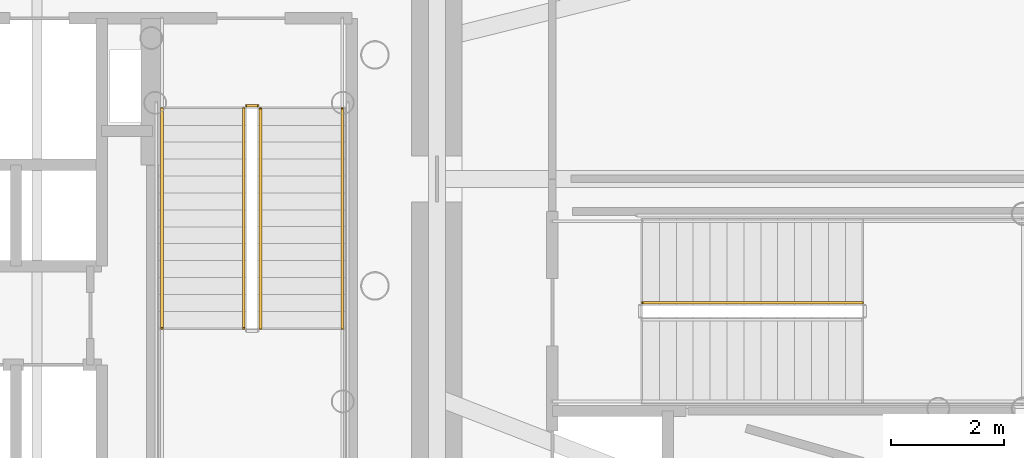
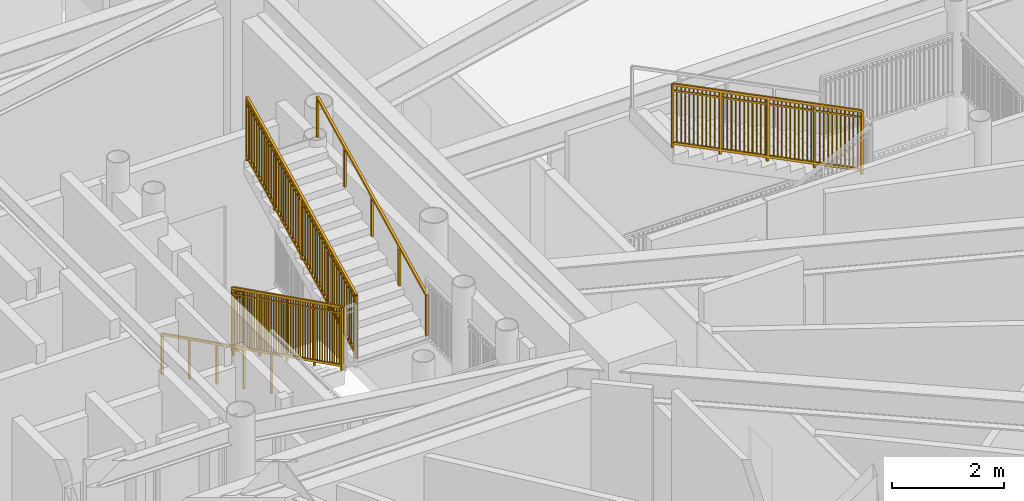
# One storey, part 29 of 32: 6 railings.
"""IFC4 building model written with IfcOpenShell, lengths in metres."""

from ifc_helpers import new_model, si_unit, direction, frame, origin, origin_2d, place, context, subcontext, project, spatial, rectangle, extrude, source, transform, mapped, material, type_object, element, save


model = new_model("IFC4")

# Units and contexts
model_context = context("Model", 3, precision=1e-05, world=origin(), true_north=direction((0.0, 1.0)))
body_context = subcontext(model_context, "Body", "Model", "MODEL_VIEW")
ifc_project = project(units=[si_unit("LENGTHUNIT", "METRE"), si_unit("AREAUNIT", "SQUARE_METRE"), si_unit("VOLUMEUNIT", "CUBIC_METRE"), si_unit("PLANEANGLEUNIT", "RADIAN"), si_unit("MASSUNIT", "GRAM", prefix="KILO")], contexts=[model_context])

# Site, building, storey
site_placement = place(None, origin())
site = spatial("IfcSite", under=ifc_project, at=site_placement, CompositionType="ELEMENT")
building_placement = place(site_placement, origin())
building = spatial("IfcBuilding", under=site, at=building_placement, Name="Linh Dai School and Residence Tower", CompositionType="ELEMENT")
storey_placement = place(building_placement, frame((0.0, 0.0, 53.39990234375)))
storey = spatial("IfcBuildingStorey", under=building, at=storey_placement, Name="L12", CompositionType="ELEMENT", Elevation=53.39990234375)

# Railings
ifc_material_1 = material(Name="Structural Steel S355JR", Category="steel")
railing_type_1 = type_object("IfcRailingType", Name="RL-ST-GUARD-1400", PredefinedType="GUARDRAIL", material=ifc_material_1)
shared_shape_1 = source(origin(), body_context, "Body", "SweptSolid", [
    extrude(rectangle(XDim=0.048095703125, YDim=0.048095703125, at=origin_2d()), frame((0.0, 0.0, 1.3759765625), z_axis=(1.0, 0.0, 0.0), x_axis=(0.0, 1.0, 0.0)), (0.0, 0.0, 1.0), 0.199951171875),
    extrude(rectangle(XDim=0.048095703125, YDim=0.048095703125, at=origin_2d()), frame((0.0, 0.0, 0.10009765625), z_axis=(1.0, 0.0, 0.0), x_axis=(0.0, 1.0, 0.0)), (0.0, 0.0, 1.0), 0.199951171875),
    extrude(rectangle(XDim=0.030029296875, YDim=0.030029296875, at=origin_2d()), frame((0.0, 0.0, 1.239990234375), z_axis=(1.0, 0.0, 0.0), x_axis=(0.0, 1.0, 0.0)), (0.0, 0.0, 1.0), 0.199951171875),
    extrude(rectangle(XDim=0.0419921875, YDim=0.0419921875, at=origin_2d()), origin(), (0.0, 0.0, 1.0), 1.3759765625),
    extrude(rectangle(XDim=0.0419921875, YDim=0.0419921875, at=origin_2d()), frame((0.199951171875, 0.0, 0.0)), (0.0, 0.0, 1.0), 1.3759765625),
])
railing_1_placement = place(storey_placement, frame((42.570068359375, 28.300048828125, 0.0)))
element("IfcRailing", 1, at=railing_1_placement, inside=storey, type_object=railing_type_1, Name="L12 ST2 stair guard 7", PredefinedType="GUARDRAIL", context=body_context, shape_type="MappedRepresentation", body=[
    mapped(shared_shape_1, transform((0.0, 0.0, 0.0), x_axis=(1.0, 0.0, 0.0), y_axis=(0.0, 1.0, 0.0), z_axis=(0.0, 0.0, 1.0), scale=1.0)),
])
shared_shape_2 = source(origin(), body_context, "Body", "SweptSolid", [
    extrude(rectangle(XDim=0.048095703125, YDim=0.048095703125, at=origin_2d()), frame((0.0, 0.0, 1.3759765625), z_axis=(0.0, -0.894427191, 0.4472135955), x_axis=(1.0, 0.0, 0.0)), (0.0, 0.0, 1.0), 4.360107421875),
    extrude(rectangle(XDim=0.048095703125, YDim=0.048095703125, at=origin_2d()), frame((0.0, 0.0, 0.10009765625), z_axis=(0.0, -0.894427191, 0.4472135955), x_axis=(1.0, 0.0, 0.0)), (0.0, 0.0, 1.0), 4.360107421875),
    extrude(rectangle(XDim=0.030029296875, YDim=0.030029296875, at=origin_2d()), frame((0.0, 0.0, 1.239990234375), z_axis=(0.0, -0.894427191, 0.4472135955), x_axis=(1.0, 0.0, 0.0)), (0.0, 0.0, 1.0), 4.360107421875),
    extrude(rectangle(XDim=0.02001953125, YDim=0.02001953125, at=origin_2d()), frame((0.0, -0.086669921875, 0.143310546875)), (0.0, 0.0, 1.0), 1.251708984375),
    extrude(rectangle(XDim=0.02001953125, YDim=0.02001953125, at=origin_2d()), frame((0.0, -0.17333984375, 0.186767578125)), (0.0, 0.0, 1.0), 1.251708984375),
    extrude(rectangle(XDim=0.02001953125, YDim=0.02001953125, at=origin_2d()), frame((0.0, -0.260009765625, 0.22998046875)), (0.0, 0.0, 1.0), 1.251708984375),
    extrude(rectangle(XDim=0.02001953125, YDim=0.02001953125, at=origin_2d()), frame((0.0, -0.3466796875, 0.2734375)), (0.0, 0.0, 1.0), 1.251708984375),
    extrude(rectangle(XDim=0.02001953125, YDim=0.02001953125, at=origin_2d()), frame((0.0, -0.433349609375, 0.316650390625)), (0.0, 0.0, 1.0), 1.251708984375),
    extrude(rectangle(XDim=0.02001953125, YDim=0.02001953125, at=origin_2d()), frame((0.0, -0.52001953125, 0.360107421875)), (0.0, 0.0, 1.0), 1.251708984375),
    extrude(rectangle(XDim=0.02001953125, YDim=0.02001953125, at=origin_2d()), frame((0.0, -0.606689453125, 0.4033203125)), (0.0, 0.0, 1.0), 1.251708984375),
    extrude(rectangle(XDim=0.02001953125, YDim=0.02001953125, at=origin_2d()), frame((0.0, -0.693359375, 0.44677734375)), (0.0, 0.0, 1.0), 1.251708984375),
    extrude(rectangle(XDim=0.02001953125, YDim=0.02001953125, at=origin_2d()), frame((0.0, -0.780029296875, 0.489990234375)), (0.0, 0.0, 1.0), 1.251708984375),
    extrude(rectangle(XDim=0.02001953125, YDim=0.02001953125, at=origin_2d()), frame((0.0, -0.86669921875, 0.533447265625)), (0.0, 0.0, 1.0), 1.251708984375),
    extrude(rectangle(XDim=0.02001953125, YDim=0.02001953125, at=origin_2d()), frame((0.0, -1.0400390625, 0.6201171875)), (0.0, 0.0, 1.0), 1.251708984375),
    extrude(rectangle(XDim=0.02001953125, YDim=0.02001953125, at=origin_2d()), frame((0.0, -1.126708984375, 0.663330078125)), (0.0, 0.0, 1.0), 1.251708984375),
    extrude(rectangle(XDim=0.02001953125, YDim=0.02001953125, at=origin_2d()), frame((0.0, -1.21337890625, 0.706787109375)), (0.0, 0.0, 1.0), 1.251708984375),
    extrude(rectangle(XDim=0.02001953125, YDim=0.02001953125, at=origin_2d()), frame((0.0, -1.300048828125, 0.75)), (0.0, 0.0, 1.0), 1.251708984375),
    extrude(rectangle(XDim=0.02001953125, YDim=0.02001953125, at=origin_2d()), frame((0.0, -1.38671875, 0.79345703125)), (0.0, 0.0, 1.0), 1.251708984375),
    extrude(rectangle(XDim=0.02001953125, YDim=0.02001953125, at=origin_2d()), frame((0.0, -1.473388671875, 0.836669921875)), (0.0, 0.0, 1.0), 1.251708984375),
    extrude(rectangle(XDim=0.02001953125, YDim=0.02001953125, at=origin_2d()), frame((0.0, -1.56005859375, 0.880126953125)), (0.0, 0.0, 1.0), 1.251708984375),
    extrude(rectangle(XDim=0.02001953125, YDim=0.02001953125, at=origin_2d()), frame((0.0, -1.646728515625, 0.92333984375)), (0.0, 0.0, 1.0), 1.251708984375),
    extrude(rectangle(XDim=0.02001953125, YDim=0.02001953125, at=origin_2d()), frame((0.0, -1.7333984375, 0.966796875)), (0.0, 0.0, 1.0), 1.251708984375),
    extrude(rectangle(XDim=0.02001953125, YDim=0.02001953125, at=origin_2d()), frame((0.0, -1.820068359375, 1.010009765625)), (0.0, 0.0, 1.0), 1.251708984375),
    extrude(rectangle(XDim=0.02001953125, YDim=0.02001953125, at=origin_2d()), frame((0.0, -1.90673828125, 1.053466796875)), (0.0, 0.0, 1.0), 1.251708984375),
    extrude(rectangle(XDim=0.02001953125, YDim=0.02001953125, at=origin_2d()), frame((0.0, -1.9931640625, 1.0966796875)), (0.0, 0.0, 1.0), 1.251708984375),
    extrude(rectangle(XDim=0.02001953125, YDim=0.02001953125, at=origin_2d()), frame((0.0, -2.079833984375, 1.14013671875)), (0.0, 0.0, 1.0), 1.251708984375),
    extrude(rectangle(XDim=0.02001953125, YDim=0.02001953125, at=origin_2d()), frame((0.0, -2.16650390625, 1.183349609375)), (0.0, 0.0, 1.0), 1.251708984375),
    extrude(rectangle(XDim=0.02001953125, YDim=0.02001953125, at=origin_2d()), frame((0.0, -2.253173828125, 1.226806640625)), (0.0, 0.0, 1.0), 1.251708984375),
    extrude(rectangle(XDim=0.02001953125, YDim=0.02001953125, at=origin_2d()), frame((0.0, -2.33984375, 1.27001953125)), (0.0, 0.0, 1.0), 1.251708984375),
    extrude(rectangle(XDim=0.02001953125, YDim=0.02001953125, at=origin_2d()), frame((0.0, -2.426513671875, 1.3134765625)), (0.0, 0.0, 1.0), 1.251708984375),
    extrude(rectangle(XDim=0.02001953125, YDim=0.02001953125, at=origin_2d()), frame((0.0, -2.51318359375, 1.356689453125)), (0.0, 0.0, 1.0), 1.251708984375),
    extrude(rectangle(XDim=0.02001953125, YDim=0.02001953125, at=origin_2d()), frame((0.0, -2.599853515625, 1.400146484375)), (0.0, 0.0, 1.0), 1.251708984375),
    extrude(rectangle(XDim=0.02001953125, YDim=0.02001953125, at=origin_2d()), frame((0.0, -2.6865234375, 1.443359375)), (0.0, 0.0, 1.0), 1.251708984375),
    extrude(rectangle(XDim=0.02001953125, YDim=0.02001953125, at=origin_2d()), frame((0.0, -2.773193359375, 1.48681640625)), (0.0, 0.0, 1.0), 1.251708984375),
    extrude(rectangle(XDim=0.02001953125, YDim=0.02001953125, at=origin_2d()), frame((0.0, -2.85986328125, 1.530029296875)), (0.0, 0.0, 1.0), 1.251708984375),
    extrude(rectangle(XDim=0.02001953125, YDim=0.02001953125, at=origin_2d()), frame((0.0, -3.033203125, 1.61669921875)), (0.0, 0.0, 1.0), 1.251708984375),
    extrude(rectangle(XDim=0.02001953125, YDim=0.02001953125, at=origin_2d()), frame((0.0, -3.119873046875, 1.66015625)), (0.0, 0.0, 1.0), 1.251708984375),
    extrude(rectangle(XDim=0.02001953125, YDim=0.02001953125, at=origin_2d()), frame((0.0, -3.20654296875, 1.703369140625)), (0.0, 0.0, 1.0), 1.251708984375),
    extrude(rectangle(XDim=0.02001953125, YDim=0.02001953125, at=origin_2d()), frame((0.0, -3.293212890625, 1.746826171875)), (0.0, 0.0, 1.0), 1.251708984375),
    extrude(rectangle(XDim=0.02001953125, YDim=0.02001953125, at=origin_2d()), frame((0.0, -3.3798828125, 1.7900390625)), (0.0, 0.0, 1.0), 1.251708984375),
    extrude(rectangle(XDim=0.02001953125, YDim=0.02001953125, at=origin_2d()), frame((0.0, -3.466552734375, 1.83349609375)), (0.0, 0.0, 1.0), 1.251708984375),
    extrude(rectangle(XDim=0.02001953125, YDim=0.02001953125, at=origin_2d()), frame((0.0, -3.55322265625, 1.876708984375)), (0.0, 0.0, 1.0), 1.251708984375),
    extrude(rectangle(XDim=0.02001953125, YDim=0.02001953125, at=origin_2d()), frame((0.0, -3.639892578125, 1.920166015625)), (0.0, 0.0, 1.0), 1.251708984375),
    extrude(rectangle(XDim=0.02001953125, YDim=0.02001953125, at=origin_2d()), frame((0.0, -3.7265625, 1.96337890625)), (0.0, 0.0, 1.0), 1.251708984375),
    extrude(rectangle(XDim=0.02001953125, YDim=0.02001953125, at=origin_2d()), frame((0.0, -3.813232421875, 2.0068359375)), (0.0, 0.0, 1.0), 1.251708984375),
    extrude(rectangle(XDim=0.0419921875, YDim=0.0419921875, at=origin_2d()), origin(), (0.0, 0.0, 1.0), 1.3759765625),
    extrude(rectangle(XDim=0.0419921875, YDim=0.0419921875, at=origin_2d()), frame((0.0, -0.97509765625, 0.487548828125)), (0.0, 0.0, 1.0), 1.3759765625),
    extrude(rectangle(XDim=0.0419921875, YDim=0.0419921875, at=origin_2d()), frame((0.0, -1.949951171875, 0.97509765625)), (0.0, 0.0, 1.0), 1.3759765625),
    extrude(rectangle(XDim=0.0419921875, YDim=0.0419921875, at=origin_2d()), frame((0.0, -2.9248046875, 1.46240234375)), (0.0, 0.0, 1.0), 1.3759765625),
    extrude(rectangle(XDim=0.0419921875, YDim=0.0419921875, at=origin_2d()), frame((0.0, -3.89990234375, 1.949951171875)), (0.0, 0.0, 1.0), 1.3759765625),
])
railing_2_placement = place(storey_placement, frame((42.52001953125, 28.25, 0.150146484375)))
element("IfcRailing", 2, at=railing_2_placement, inside=storey, type_object=railing_type_1, Name="L12 ST2 stair guard 1", PredefinedType="GUARDRAIL", context=body_context, shape_type="MappedRepresentation", body=[
    mapped(shared_shape_2, transform((0.0, 0.0, 0.0), x_axis=(1.0, 0.0, 0.0), y_axis=(0.0, 1.0, 0.0), z_axis=(0.0, 0.0, 1.0), scale=1.0)),
])
ifc_material_2 = material(Name="Brushed Stainless Steel Handrail", Category="steel")
railing_type_2 = type_object("IfcRailingType", Name="RL-ST-HANDRAIL-900", PredefinedType="HANDRAIL", material=ifc_material_2)
shared_shape_3 = source(origin(), body_context, "Body", "SweptSolid", [
    extrude(rectangle(XDim=0.048095703125, YDim=0.048095703125, at=origin_2d()), frame((0.0, 0.0, 0.8759765625), z_axis=(0.0, -0.894427191, 0.4472135955), x_axis=(1.0, 0.0, 0.0)), (0.0, 0.0, 1.0), 4.360107421875),
    extrude(rectangle(XDim=0.0419921875, YDim=0.0419921875, at=origin_2d()), origin(), (0.0, 0.0, 1.0), 0.8759765625),
    extrude(rectangle(XDim=0.0419921875, YDim=0.0419921875, at=origin_2d()), frame((0.0, -0.97509765625, 0.487548828125)), (0.0, 0.0, 1.0), 0.8759765625),
    extrude(rectangle(XDim=0.0419921875, YDim=0.0419921875, at=origin_2d()), frame((0.0, -1.949951171875, 0.97509765625)), (0.0, 0.0, 1.0), 0.8759765625),
    extrude(rectangle(XDim=0.0419921875, YDim=0.0419921875, at=origin_2d()), frame((0.0, -2.9248046875, 1.46240234375)), (0.0, 0.0, 1.0), 0.8759765625),
    extrude(rectangle(XDim=0.0419921875, YDim=0.0419921875, at=origin_2d()), frame((0.0, -3.89990234375, 1.949951171875)), (0.0, 0.0, 1.0), 0.8759765625),
])
railing_3_placement = place(storey_placement, frame((41.070068359375, 28.25, 0.150146484375)))
element("IfcRailing", 3, at=railing_3_placement, inside=storey, type_object=railing_type_2, Name="L12 ST2 stair handrail 1", PredefinedType="HANDRAIL", context=body_context, shape_type="MappedRepresentation", body=[
    mapped(shared_shape_3, transform((0.0, 0.0, 0.0), x_axis=(1.0, 0.0, 0.0), y_axis=(0.0, 1.0, 0.0), z_axis=(0.0, 0.0, 1.0), scale=1.0)),
])
shared_shape_4 = source(origin(), body_context, "Body", "SweptSolid", [
    extrude(rectangle(XDim=0.048095703125, YDim=0.048095703125, at=origin_2d()), frame((0.0, 0.0, 1.3759765625), z_axis=(0.0, 0.894404793364, 0.447258387967), x_axis=(-1.0, 0.0, 0.0)), (0.0, 0.0, 1.0), 4.3603515625),
    extrude(rectangle(XDim=0.048095703125, YDim=0.048095703125, at=origin_2d()), frame((0.0, 0.0, 0.10009765625), z_axis=(0.0, 0.894404793364, 0.447258387967), x_axis=(-1.0, 0.0, 0.0)), (0.0, 0.0, 1.0), 4.3603515625),
    extrude(rectangle(XDim=0.030029296875, YDim=0.030029296875, at=origin_2d()), frame((0.0, 0.0, 1.239990234375), z_axis=(0.0, 0.894404793364, 0.447258387967), x_axis=(-1.0, 0.0, 0.0)), (0.0, 0.0, 1.0), 4.3603515625),
    extrude(rectangle(XDim=0.02001953125, YDim=0.02001953125, at=origin_2d()), frame((0.0, 0.086669921875, 0.1435546875)), (0.0, 0.0, 1.0), 1.251708984375),
    extrude(rectangle(XDim=0.02001953125, YDim=0.02001953125, at=origin_2d()), frame((0.0, 0.17333984375, 0.186767578125)), (0.0, 0.0, 1.0), 1.251708984375),
    extrude(rectangle(XDim=0.02001953125, YDim=0.02001953125, at=origin_2d()), frame((0.0, 0.260009765625, 0.230224609375)), (0.0, 0.0, 1.0), 1.251708984375),
    extrude(rectangle(XDim=0.02001953125, YDim=0.02001953125, at=origin_2d()), frame((0.0, 0.3466796875, 0.2734375)), (0.0, 0.0, 1.0), 1.251708984375),
    extrude(rectangle(XDim=0.02001953125, YDim=0.02001953125, at=origin_2d()), frame((0.0, 0.433349609375, 0.31689453125)), (0.0, 0.0, 1.0), 1.251708984375),
    extrude(rectangle(XDim=0.02001953125, YDim=0.02001953125, at=origin_2d()), frame((0.0, 0.52001953125, 0.360107421875)), (0.0, 0.0, 1.0), 1.251708984375),
    extrude(rectangle(XDim=0.02001953125, YDim=0.02001953125, at=origin_2d()), frame((0.0, 0.606689453125, 0.403564453125)), (0.0, 0.0, 1.0), 1.251708984375),
    extrude(rectangle(XDim=0.02001953125, YDim=0.02001953125, at=origin_2d()), frame((0.0, 0.693359375, 0.44677734375)), (0.0, 0.0, 1.0), 1.251708984375),
    extrude(rectangle(XDim=0.02001953125, YDim=0.02001953125, at=origin_2d()), frame((0.0, 0.780029296875, 0.490234375)), (0.0, 0.0, 1.0), 1.251708984375),
    extrude(rectangle(XDim=0.02001953125, YDim=0.02001953125, at=origin_2d()), frame((0.0, 0.86669921875, 0.533447265625)), (0.0, 0.0, 1.0), 1.251708984375),
    extrude(rectangle(XDim=0.02001953125, YDim=0.02001953125, at=origin_2d()), frame((0.0, 1.0400390625, 0.6201171875)), (0.0, 0.0, 1.0), 1.251708984375),
    extrude(rectangle(XDim=0.02001953125, YDim=0.02001953125, at=origin_2d()), frame((0.0, 1.126708984375, 0.66357421875)), (0.0, 0.0, 1.0), 1.251708984375),
    extrude(rectangle(XDim=0.02001953125, YDim=0.02001953125, at=origin_2d()), frame((0.0, 1.21337890625, 0.706787109375)), (0.0, 0.0, 1.0), 1.251708984375),
    extrude(rectangle(XDim=0.02001953125, YDim=0.02001953125, at=origin_2d()), frame((0.0, 1.300048828125, 0.750244140625)), (0.0, 0.0, 1.0), 1.251708984375),
    extrude(rectangle(XDim=0.02001953125, YDim=0.02001953125, at=origin_2d()), frame((0.0, 1.38671875, 0.79345703125)), (0.0, 0.0, 1.0), 1.251708984375),
    extrude(rectangle(XDim=0.02001953125, YDim=0.02001953125, at=origin_2d()), frame((0.0, 1.473388671875, 0.8369140625)), (0.0, 0.0, 1.0), 1.251708984375),
    extrude(rectangle(XDim=0.02001953125, YDim=0.02001953125, at=origin_2d()), frame((0.0, 1.56005859375, 0.880126953125)), (0.0, 0.0, 1.0), 1.251708984375),
    extrude(rectangle(XDim=0.02001953125, YDim=0.02001953125, at=origin_2d()), frame((0.0, 1.646728515625, 0.923583984375)), (0.0, 0.0, 1.0), 1.251708984375),
    extrude(rectangle(XDim=0.02001953125, YDim=0.02001953125, at=origin_2d()), frame((0.0, 1.7333984375, 0.966796875)), (0.0, 0.0, 1.0), 1.251708984375),
    extrude(rectangle(XDim=0.02001953125, YDim=0.02001953125, at=origin_2d()), frame((0.0, 1.820068359375, 1.01025390625)), (0.0, 0.0, 1.0), 1.251708984375),
    extrude(rectangle(XDim=0.02001953125, YDim=0.02001953125, at=origin_2d()), frame((0.0, 1.90673828125, 1.053466796875)), (0.0, 0.0, 1.0), 1.251708984375),
    extrude(rectangle(XDim=0.02001953125, YDim=0.02001953125, at=origin_2d()), frame((0.0, 1.9931640625, 1.096923828125)), (0.0, 0.0, 1.0), 1.251708984375),
    extrude(rectangle(XDim=0.02001953125, YDim=0.02001953125, at=origin_2d()), frame((0.0, 2.079833984375, 1.14013671875)), (0.0, 0.0, 1.0), 1.251708984375),
    extrude(rectangle(XDim=0.02001953125, YDim=0.02001953125, at=origin_2d()), frame((0.0, 2.16650390625, 1.18359375)), (0.0, 0.0, 1.0), 1.251708984375),
    extrude(rectangle(XDim=0.02001953125, YDim=0.02001953125, at=origin_2d()), frame((0.0, 2.253173828125, 1.226806640625)), (0.0, 0.0, 1.0), 1.251708984375),
    extrude(rectangle(XDim=0.02001953125, YDim=0.02001953125, at=origin_2d()), frame((0.0, 2.33984375, 1.270263671875)), (0.0, 0.0, 1.0), 1.251708984375),
    extrude(rectangle(XDim=0.02001953125, YDim=0.02001953125, at=origin_2d()), frame((0.0, 2.426513671875, 1.3134765625)), (0.0, 0.0, 1.0), 1.251708984375),
    extrude(rectangle(XDim=0.02001953125, YDim=0.02001953125, at=origin_2d()), frame((0.0, 2.51318359375, 1.35693359375)), (0.0, 0.0, 1.0), 1.251708984375),
    extrude(rectangle(XDim=0.02001953125, YDim=0.02001953125, at=origin_2d()), frame((0.0, 2.599853515625, 1.400146484375)), (0.0, 0.0, 1.0), 1.251708984375),
    extrude(rectangle(XDim=0.02001953125, YDim=0.02001953125, at=origin_2d()), frame((0.0, 2.6865234375, 1.443603515625)), (0.0, 0.0, 1.0), 1.251708984375),
    extrude(rectangle(XDim=0.02001953125, YDim=0.02001953125, at=origin_2d()), frame((0.0, 2.773193359375, 1.48681640625)), (0.0, 0.0, 1.0), 1.251708984375),
    extrude(rectangle(XDim=0.02001953125, YDim=0.02001953125, at=origin_2d()), frame((0.0, 2.85986328125, 1.5302734375)), (0.0, 0.0, 1.0), 1.251708984375),
    extrude(rectangle(XDim=0.02001953125, YDim=0.02001953125, at=origin_2d()), frame((0.0, 3.033203125, 1.616943359375)), (0.0, 0.0, 1.0), 1.251708984375),
    extrude(rectangle(XDim=0.02001953125, YDim=0.02001953125, at=origin_2d()), frame((0.0, 3.119873046875, 1.66015625)), (0.0, 0.0, 1.0), 1.251708984375),
    extrude(rectangle(XDim=0.02001953125, YDim=0.02001953125, at=origin_2d()), frame((0.0, 3.20654296875, 1.70361328125)), (0.0, 0.0, 1.0), 1.251708984375),
    extrude(rectangle(XDim=0.02001953125, YDim=0.02001953125, at=origin_2d()), frame((0.0, 3.293212890625, 1.746826171875)), (0.0, 0.0, 1.0), 1.251708984375),
    extrude(rectangle(XDim=0.02001953125, YDim=0.02001953125, at=origin_2d()), frame((0.0, 3.3798828125, 1.790283203125)), (0.0, 0.0, 1.0), 1.251708984375),
    extrude(rectangle(XDim=0.02001953125, YDim=0.02001953125, at=origin_2d()), frame((0.0, 3.466552734375, 1.83349609375)), (0.0, 0.0, 1.0), 1.251708984375),
    extrude(rectangle(XDim=0.02001953125, YDim=0.02001953125, at=origin_2d()), frame((0.0, 3.55322265625, 1.876953125)), (0.0, 0.0, 1.0), 1.251708984375),
    extrude(rectangle(XDim=0.02001953125, YDim=0.02001953125, at=origin_2d()), frame((0.0, 3.639892578125, 1.920166015625)), (0.0, 0.0, 1.0), 1.251708984375),
    extrude(rectangle(XDim=0.02001953125, YDim=0.02001953125, at=origin_2d()), frame((0.0, 3.7265625, 1.963623046875)), (0.0, 0.0, 1.0), 1.251708984375),
    extrude(rectangle(XDim=0.02001953125, YDim=0.02001953125, at=origin_2d()), frame((0.0, 3.813232421875, 2.0068359375)), (0.0, 0.0, 1.0), 1.251708984375),
    extrude(rectangle(XDim=0.0419921875, YDim=0.0419921875, at=origin_2d()), origin(), (0.0, 0.0, 1.0), 1.3759765625),
    extrude(rectangle(XDim=0.0419921875, YDim=0.0419921875, at=origin_2d()), frame((0.0, 0.97509765625, 0.487548828125)), (0.0, 0.0, 1.0), 1.3759765625),
    extrude(rectangle(XDim=0.0419921875, YDim=0.0419921875, at=origin_2d()), frame((0.0, 1.949951171875, 0.97509765625)), (0.0, 0.0, 1.0), 1.3759765625),
    extrude(rectangle(XDim=0.0419921875, YDim=0.0419921875, at=origin_2d()), frame((0.0, 2.9248046875, 1.462646484375)), (0.0, 0.0, 1.0), 1.3759765625),
    extrude(rectangle(XDim=0.0419921875, YDim=0.0419921875, at=origin_2d()), frame((0.0, 3.89990234375, 1.9501953125)), (0.0, 0.0, 1.0), 1.3759765625),
])
railing_4_placement = place(storey_placement, frame((42.820068359375, 24.35009765625, 2.25)))
element("IfcRailing", 4, at=railing_4_placement, inside=storey, type_object=railing_type_1, Name="L12 ST2 stair guard 6", PredefinedType="GUARDRAIL", context=body_context, shape_type="MappedRepresentation", body=[
    mapped(shared_shape_4, transform((0.0, 0.0, 0.0), x_axis=(1.0, 0.0, 0.0), y_axis=(0.0, 1.0, 0.0), z_axis=(0.0, 0.0, 1.0), scale=1.0)),
])
shared_shape_5 = source(origin(), body_context, "Body", "SweptSolid", [
    extrude(rectangle(XDim=0.048095703125, YDim=0.048095703125, at=origin_2d()), frame((0.0, 0.0, 0.8759765625), z_axis=(0.0, 0.894404793364, 0.447258387967), x_axis=(-1.0, 0.0, 0.0)), (0.0, 0.0, 1.0), 4.3603515625),
    extrude(rectangle(XDim=0.0419921875, YDim=0.0419921875, at=origin_2d()), origin(), (0.0, 0.0, 1.0), 0.8759765625),
    extrude(rectangle(XDim=0.0419921875, YDim=0.0419921875, at=origin_2d()), frame((0.0, 0.97509765625, 0.487548828125)), (0.0, 0.0, 1.0), 0.8759765625),
    extrude(rectangle(XDim=0.0419921875, YDim=0.0419921875, at=origin_2d()), frame((0.0, 1.949951171875, 0.97509765625)), (0.0, 0.0, 1.0), 0.8759765625),
    extrude(rectangle(XDim=0.0419921875, YDim=0.0419921875, at=origin_2d()), frame((0.0, 2.9248046875, 1.462646484375)), (0.0, 0.0, 1.0), 0.8759765625),
    extrude(rectangle(XDim=0.0419921875, YDim=0.0419921875, at=origin_2d()), frame((0.0, 3.89990234375, 1.9501953125)), (0.0, 0.0, 1.0), 0.8759765625),
])
railing_5_placement = place(storey_placement, frame((44.27001953125, 24.35009765625, 2.25)))
element("IfcRailing", 5, at=railing_5_placement, inside=storey, type_object=railing_type_2, Name="L12 ST2 stair handrail 2", PredefinedType="HANDRAIL", context=body_context, shape_type="MappedRepresentation", body=[
    mapped(shared_shape_5, transform((0.0, 0.0, 0.0), x_axis=(1.0, 0.0, 0.0), y_axis=(0.0, 1.0, 0.0), z_axis=(0.0, 0.0, 1.0), scale=1.0)),
])
shared_shape_6 = source(origin(), body_context, "Body", "SweptSolid", [
    extrude(rectangle(XDim=0.048095703125, YDim=0.048095703125, at=origin_2d()), frame((0.0, 0.0, 1.3759765625), z_axis=(-0.894404793364, 0.0, 0.447258387967), x_axis=(0.0, -1.0, 0.0)), (0.0, 0.0, 1.0), 4.3603515625),
    extrude(rectangle(XDim=0.048095703125, YDim=0.048095703125, at=origin_2d()), frame((0.0, 0.0, 0.10009765625), z_axis=(-0.894404793364, 0.0, 0.447258387967), x_axis=(0.0, -1.0, 0.0)), (0.0, 0.0, 1.0), 4.3603515625),
    extrude(rectangle(XDim=0.030029296875, YDim=0.030029296875, at=origin_2d()), frame((0.0, 0.0, 1.239990234375), z_axis=(-0.894404793364, 0.0, 0.447258387967), x_axis=(0.0, -1.0, 0.0)), (0.0, 0.0, 1.0), 4.3603515625),
    extrude(rectangle(XDim=0.02001953125, YDim=0.02001953125, at=origin_2d()), frame((-0.086669921875, 0.0, 0.1435546875)), (0.0, 0.0, 1.0), 1.251708984375),
    extrude(rectangle(XDim=0.02001953125, YDim=0.02001953125, at=origin_2d()), frame((-0.17333984375, 0.0, 0.186767578125)), (0.0, 0.0, 1.0), 1.251708984375),
    extrude(rectangle(XDim=0.02001953125, YDim=0.02001953125, at=origin_2d()), frame((-0.260009765625, 0.0, 0.230224609375)), (0.0, 0.0, 1.0), 1.251708984375),
    extrude(rectangle(XDim=0.02001953125, YDim=0.02001953125, at=origin_2d()), frame((-0.3466796875, 0.0, 0.2734375)), (0.0, 0.0, 1.0), 1.251708984375),
    extrude(rectangle(XDim=0.02001953125, YDim=0.02001953125, at=origin_2d()), frame((-0.433349609375, 0.0, 0.31689453125)), (0.0, 0.0, 1.0), 1.251708984375),
    extrude(rectangle(XDim=0.02001953125, YDim=0.02001953125, at=origin_2d()), frame((-0.52001953125, 0.0, 0.360107421875)), (0.0, 0.0, 1.0), 1.251708984375),
    extrude(rectangle(XDim=0.02001953125, YDim=0.02001953125, at=origin_2d()), frame((-0.606689453125, 0.0, 0.403564453125)), (0.0, 0.0, 1.0), 1.251708984375),
    extrude(rectangle(XDim=0.02001953125, YDim=0.02001953125, at=origin_2d()), frame((-0.693359375, 0.0, 0.44677734375)), (0.0, 0.0, 1.0), 1.251708984375),
    extrude(rectangle(XDim=0.02001953125, YDim=0.02001953125, at=origin_2d()), frame((-0.780029296875, 0.0, 0.490234375)), (0.0, 0.0, 1.0), 1.251708984375),
    extrude(rectangle(XDim=0.02001953125, YDim=0.02001953125, at=origin_2d()), frame((-0.86669921875, 0.0, 0.533447265625)), (0.0, 0.0, 1.0), 1.251708984375),
    extrude(rectangle(XDim=0.02001953125, YDim=0.02001953125, at=origin_2d()), frame((-1.0400390625, 0.0, 0.6201171875)), (0.0, 0.0, 1.0), 1.251708984375),
    extrude(rectangle(XDim=0.02001953125, YDim=0.02001953125, at=origin_2d()), frame((-1.126708984375, 0.0, 0.66357421875)), (0.0, 0.0, 1.0), 1.251708984375),
    extrude(rectangle(XDim=0.02001953125, YDim=0.02001953125, at=origin_2d()), frame((-1.21337890625, 0.0, 0.706787109375)), (0.0, 0.0, 1.0), 1.251708984375),
    extrude(rectangle(XDim=0.02001953125, YDim=0.02001953125, at=origin_2d()), frame((-1.300048828125, 0.0, 0.750244140625)), (0.0, 0.0, 1.0), 1.251708984375),
    extrude(rectangle(XDim=0.02001953125, YDim=0.02001953125, at=origin_2d()), frame((-1.38671875, 0.0, 0.79345703125)), (0.0, 0.0, 1.0), 1.251708984375),
    extrude(rectangle(XDim=0.02001953125, YDim=0.02001953125, at=origin_2d()), frame((-1.473388671875, 0.0, 0.8369140625)), (0.0, 0.0, 1.0), 1.251708984375),
    extrude(rectangle(XDim=0.02001953125, YDim=0.02001953125, at=origin_2d()), frame((-1.56005859375, 0.0, 0.880126953125)), (0.0, 0.0, 1.0), 1.251708984375),
    extrude(rectangle(XDim=0.02001953125, YDim=0.02001953125, at=origin_2d()), frame((-1.646728515625, 0.0, 0.923583984375)), (0.0, 0.0, 1.0), 1.251708984375),
    extrude(rectangle(XDim=0.02001953125, YDim=0.02001953125, at=origin_2d()), frame((-1.7333984375, 0.0, 0.966796875)), (0.0, 0.0, 1.0), 1.251708984375),
    extrude(rectangle(XDim=0.02001953125, YDim=0.02001953125, at=origin_2d()), frame((-1.820068359375, 0.0, 1.01025390625)), (0.0, 0.0, 1.0), 1.251708984375),
    extrude(rectangle(XDim=0.02001953125, YDim=0.02001953125, at=origin_2d()), frame((-1.90673828125, 0.0, 1.053466796875)), (0.0, 0.0, 1.0), 1.251708984375),
    extrude(rectangle(XDim=0.02001953125, YDim=0.02001953125, at=origin_2d()), frame((-1.9931640625, 0.0, 1.096923828125)), (0.0, 0.0, 1.0), 1.251708984375),
    extrude(rectangle(XDim=0.02001953125, YDim=0.02001953125, at=origin_2d()), frame((-2.079833984375, 0.0, 1.14013671875)), (0.0, 0.0, 1.0), 1.251708984375),
    extrude(rectangle(XDim=0.02001953125, YDim=0.02001953125, at=origin_2d()), frame((-2.16650390625, 0.0, 1.18359375)), (0.0, 0.0, 1.0), 1.251708984375),
    extrude(rectangle(XDim=0.02001953125, YDim=0.02001953125, at=origin_2d()), frame((-2.253173828125, 0.0, 1.226806640625)), (0.0, 0.0, 1.0), 1.251708984375),
    extrude(rectangle(XDim=0.02001953125, YDim=0.02001953125, at=origin_2d()), frame((-2.33984375, 0.0, 1.270263671875)), (0.0, 0.0, 1.0), 1.251708984375),
    extrude(rectangle(XDim=0.02001953125, YDim=0.02001953125, at=origin_2d()), frame((-2.426513671875, 0.0, 1.3134765625)), (0.0, 0.0, 1.0), 1.251708984375),
    extrude(rectangle(XDim=0.02001953125, YDim=0.02001953125, at=origin_2d()), frame((-2.51318359375, 0.0, 1.35693359375)), (0.0, 0.0, 1.0), 1.251708984375),
    extrude(rectangle(XDim=0.02001953125, YDim=0.02001953125, at=origin_2d()), frame((-2.599853515625, 0.0, 1.400146484375)), (0.0, 0.0, 1.0), 1.251708984375),
    extrude(rectangle(XDim=0.02001953125, YDim=0.02001953125, at=origin_2d()), frame((-2.6865234375, 0.0, 1.443603515625)), (0.0, 0.0, 1.0), 1.251708984375),
    extrude(rectangle(XDim=0.02001953125, YDim=0.02001953125, at=origin_2d()), frame((-2.773193359375, 0.0, 1.48681640625)), (0.0, 0.0, 1.0), 1.251708984375),
    extrude(rectangle(XDim=0.02001953125, YDim=0.02001953125, at=origin_2d()), frame((-2.85986328125, 0.0, 1.5302734375)), (0.0, 0.0, 1.0), 1.251708984375),
    extrude(rectangle(XDim=0.02001953125, YDim=0.02001953125, at=origin_2d()), frame((-3.033203125, 0.0, 1.616943359375)), (0.0, 0.0, 1.0), 1.251708984375),
    extrude(rectangle(XDim=0.02001953125, YDim=0.02001953125, at=origin_2d()), frame((-3.119873046875, 0.0, 1.66015625)), (0.0, 0.0, 1.0), 1.251708984375),
    extrude(rectangle(XDim=0.02001953125, YDim=0.02001953125, at=origin_2d()), frame((-3.20654296875, 0.0, 1.70361328125)), (0.0, 0.0, 1.0), 1.251708984375),
    extrude(rectangle(XDim=0.02001953125, YDim=0.02001953125, at=origin_2d()), frame((-3.293212890625, 0.0, 1.746826171875)), (0.0, 0.0, 1.0), 1.251708984375),
    extrude(rectangle(XDim=0.02001953125, YDim=0.02001953125, at=origin_2d()), frame((-3.3798828125, 0.0, 1.790283203125)), (0.0, 0.0, 1.0), 1.251708984375),
    extrude(rectangle(XDim=0.02001953125, YDim=0.02001953125, at=origin_2d()), frame((-3.466552734375, 0.0, 1.83349609375)), (0.0, 0.0, 1.0), 1.251708984375),
    extrude(rectangle(XDim=0.02001953125, YDim=0.02001953125, at=origin_2d()), frame((-3.55322265625, 0.0, 1.876953125)), (0.0, 0.0, 1.0), 1.251708984375),
    extrude(rectangle(XDim=0.02001953125, YDim=0.02001953125, at=origin_2d()), frame((-3.639892578125, 0.0, 1.920166015625)), (0.0, 0.0, 1.0), 1.251708984375),
    extrude(rectangle(XDim=0.02001953125, YDim=0.02001953125, at=origin_2d()), frame((-3.7265625, 0.0, 1.963623046875)), (0.0, 0.0, 1.0), 1.251708984375),
    extrude(rectangle(XDim=0.02001953125, YDim=0.02001953125, at=origin_2d()), frame((-3.813232421875, 0.0, 2.0068359375)), (0.0, 0.0, 1.0), 1.251708984375),
    extrude(rectangle(XDim=0.0419921875, YDim=0.0419921875, at=origin_2d()), origin(), (0.0, 0.0, 1.0), 1.3759765625),
    extrude(rectangle(XDim=0.0419921875, YDim=0.0419921875, at=origin_2d()), frame((-0.97509765625, 0.0, 0.487548828125)), (0.0, 0.0, 1.0), 1.3759765625),
    extrude(rectangle(XDim=0.0419921875, YDim=0.0419921875, at=origin_2d()), frame((-1.949951171875, 0.0, 0.97509765625)), (0.0, 0.0, 1.0), 1.3759765625),
    extrude(rectangle(XDim=0.0419921875, YDim=0.0419921875, at=origin_2d()), frame((-2.9248046875, 0.0, 1.462646484375)), (0.0, 0.0, 1.0), 1.3759765625),
    extrude(rectangle(XDim=0.0419921875, YDim=0.0419921875, at=origin_2d()), frame((-3.89990234375, 0.0, 1.9501953125)), (0.0, 0.0, 1.0), 1.3759765625),
])
railing_6_placement = place(storey_placement, frame((53.5, 24.800048828125, 2.25)))
element("IfcRailing", 6, at=railing_6_placement, inside=storey, type_object=railing_type_1, Name="L12 STS2 stair guard 6", PredefinedType="GUARDRAIL", context=body_context, shape_type="MappedRepresentation", body=[
    mapped(shared_shape_6, transform((0.0, 0.0, 0.0), x_axis=(1.0, 0.0, 0.0), y_axis=(0.0, 1.0, 0.0), z_axis=(0.0, 0.0, 1.0), scale=1.0)),
])

save(model, "model.ifc")
